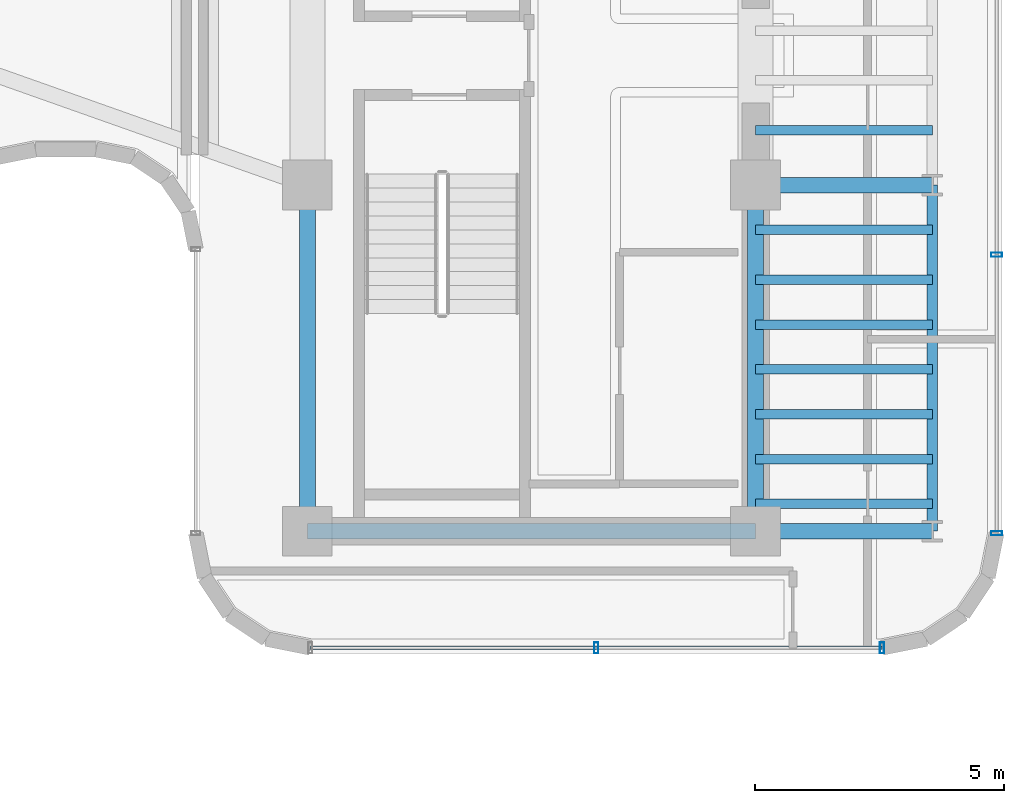
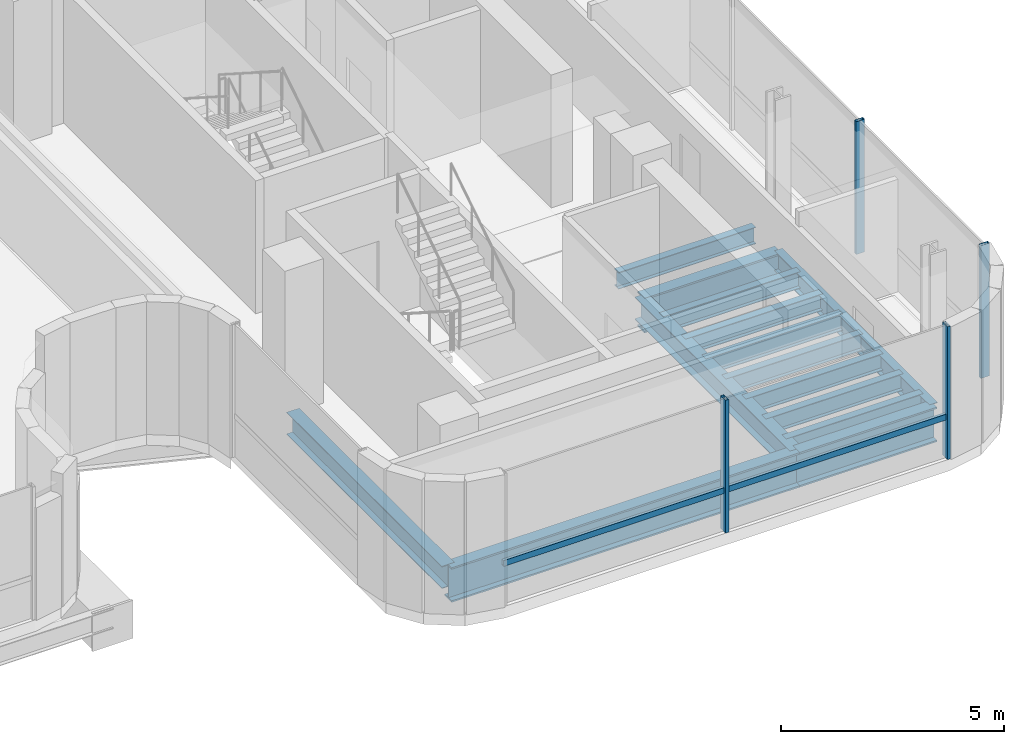
# One storey, part 13 of 37: 14 beams, 5 members, 2 elements without a shape of their own.
"""IFC4 building model written with IfcOpenShell, lengths in metres."""

from ifc_helpers import new_model, si_unit, direction, frame, origin, origin_2d, place, context, subcontext, project, spatial, hollow_rectangle, i_section, extrude, source, transform, mapped, material, material_profile, profile_set, type_object, element, aggregate, save


model = new_model("IFC4")

# Units and contexts
model_context = context("Model", 3, precision=1e-05, world=origin(), true_north=direction((0.0, 1.0)))
body_context = subcontext(model_context, "Body", "Model", "MODEL_VIEW")
ifc_project = project(units=[si_unit("LENGTHUNIT", "METRE"), si_unit("AREAUNIT", "SQUARE_METRE"), si_unit("VOLUMEUNIT", "CUBIC_METRE"), si_unit("PLANEANGLEUNIT", "RADIAN"), si_unit("MASSUNIT", "GRAM", prefix="KILO")], contexts=[model_context])

# Site, building, storey
site_placement = place(None, origin())
site = spatial("IfcSite", under=ifc_project, at=site_placement, CompositionType="ELEMENT")
building_placement = place(site_placement, origin())
building = spatial("IfcBuilding", under=site, at=building_placement, Name="Valdorenza Pilgrim Sanctuary Tower", CompositionType="ELEMENT")
storey_placement = place(building_placement, frame((0.0, 0.0, 188.39990234375)))
storey = spatial("IfcBuildingStorey", under=building, at=storey_placement, Name="L48", CompositionType="ELEMENT", Elevation=188.39990234375)

# Beams
ifc_material_1 = material(Name="Steel ASTM A992 Grade 50", Category="steel")
ifc_material_profile_1 = material_profile(ifc_material_1, i_section(OverallWidth=0.323974609375, OverallDepth=0.611083984375, WebThickness=0.0126953125, FlangeThickness=0.01904296875, at=origin_2d()), Name="W24X104")
ifc_profile_set_1 = profile_set([ifc_material_profile_1], Name="Steel ASTM A992 Grade 50")
beam_type_1 = type_object("IfcBeamType", Name="STR-BM-GRD-W24B", PredefinedType="BEAM", material=ifc_profile_set_1)
shared_shape_1 = source(origin(), body_context, "Body", "SweptSolid", [
    extrude(i_section(OverallWidth=0.323974609375, OverallDepth=0.611083984375, WebThickness=0.0126953125, FlangeThickness=0.01904296875, at=origin_2d()), origin(), (0.0, 0.0, 1.0), 6.949951171875),
])
for number, where, z_axis, x_axis, name in (
    (1, (15.85009765625, -9.550048828125, -0.62548828125), (0.0, 1.0, 0.0), (-1.0, 0.0, 0.0), "L48 Core Tie Girder CB-W-S1M0"),
    (2, (24.85009765625, -9.550048828125, -0.62548828125), (0.0, 1.0, 0.0), (-1.0, 0.0, 0.0), "L48 Core Tie Girder CB-E-S1M0"),
):
    element("IfcBeam", number, at=place(storey_placement, frame(where, z_axis=z_axis, x_axis=x_axis)), inside=storey, type_object=beam_type_1, Name=name, PredefinedType="BEAM", context=body_context, shape_type="MappedRepresentation", body=[
        mapped(shared_shape_1, transform((0.0, 0.0, 0.0), x_axis=(1.0, 0.0, 0.0), y_axis=(0.0, 1.0, 0.0), z_axis=(0.0, 0.0, 1.0), scale=1.0)),
    ])
ifc_material_profile_2 = material_profile(ifc_material_1, i_section(OverallWidth=0.19091796875, OverallDepth=0.45703125, WebThickness=0.009033203125, FlangeThickness=0.014404296875, at=origin_2d()), Name="W18X50")
ifc_profile_set_2 = profile_set([ifc_material_profile_2], Name="Steel ASTM A992 Grade 50")
beam_type_2 = type_object("IfcBeamType", Name="STR-BM-JST-W18B", PredefinedType="JOIST", material=ifc_profile_set_2)
shared_shape_2 = source(origin(), body_context, "Body", "SweptSolid", [
    extrude(i_section(OverallWidth=0.19091796875, OverallDepth=0.45703125, WebThickness=0.009033203125, FlangeThickness=0.014404296875, at=origin_2d()), origin(), (0.0, 0.0, 1.0), 3.5498046875),
])
for number, where, z_axis, x_axis, name in (
    (3, (24.85009765625, -9.0, -0.54833984375), (1.0, 0.0, 0.0), (0.0, 1.0, 0.0), "L48 Composite Floor Joist JST-WB-1"),
    (4, (24.85009765625, -8.10009765625, -0.54833984375), (1.0, 0.0, 0.0), (0.0, 1.0, 0.0), "L48 Composite Floor Joist JST-WB-2"),
    (5, (24.85009765625, -7.199951171875, -0.54833984375), (1.0, 0.0, 0.0), (0.0, 1.0, 0.0), "L48 Composite Floor Joist JST-WB-3"),
    (6, (24.85009765625, -6.300048828125, -0.54833984375), (1.0, 0.0, 0.0), (0.0, 1.0, 0.0), "L48 Composite Floor Joist JST-WB-4"),
    (7, (24.85009765625, -5.39990234375, -0.54833984375), (1.0, 0.0, 0.0), (0.0, 1.0, 0.0), "L48 Composite Floor Joist JST-WB-5"),
    (8, (24.85009765625, -4.5, -0.54833984375), (1.0, 0.0, 0.0), (0.0, 1.0, 0.0), "L48 Composite Floor Joist JST-WB-6"),
    (9, (24.85009765625, -3.5, -0.54833984375), (1.0, 0.0, 0.0), (0.0, 1.0, 0.0), "L48 Composite Floor Joist JST-WB-7"),
    (10, (24.85009765625, -1.5, -0.54833984375), (1.0, 0.0, 0.0), (0.0, 1.0, 0.0), "L48 Composite Floor Joist JST-WB-8"),
):
    element("IfcBeam", number, at=place(storey_placement, frame(where, z_axis=z_axis, x_axis=x_axis)), inside=storey, type_object=beam_type_2, Name=name, PredefinedType="JOIST", context=body_context, shape_type="MappedRepresentation", body=[
        mapped(shared_shape_2, transform((0.0, 0.0, 0.0), x_axis=(1.0, 0.0, 0.0), y_axis=(0.0, 1.0, 0.0), z_axis=(0.0, 0.0, 1.0), scale=1.0)),
    ])
ifc_material_profile_3 = material_profile(ifc_material_1, i_section(OverallWidth=0.2109375, OverallDepth=0.5390625, WebThickness=0.01171875, FlangeThickness=0.018798828125, at=origin_2d()), Name="W21X73")
ifc_profile_set_3 = profile_set([ifc_material_profile_3], Name="Steel ASTM A992 Grade 50")
beam_type_3 = type_object("IfcBeamType", Name="STR-BM-SPN-W21B", PredefinedType="SPANDREL", material=ifc_profile_set_3)
shared_shape_3 = source(origin(), body_context, "Body", "SweptSolid", [
    extrude(i_section(OverallWidth=0.2109375, OverallDepth=0.5390625, WebThickness=0.01171875, FlangeThickness=0.018798828125, at=origin_2d()), origin(), (0.0, 0.0, 1.0), 6.949951171875),
])
beam_1_placement = place(storey_placement, frame((28.39990234375, -9.550048828125, -0.58935546875), z_axis=(0.0, 1.0, 0.0), x_axis=(-1.0, 0.0, 0.0)))
element("IfcBeam", 11, at=beam_1_placement, inside=storey, type_object=beam_type_3, Name="L48 Spandrel Beam WB-E-S1M0", PredefinedType="SPANDREL", context=body_context, shape_type="MappedRepresentation", body=[
    mapped(shared_shape_3, transform((0.0, 0.0, 0.0), x_axis=(1.0, 0.0, 0.0), y_axis=(0.0, 1.0, 0.0), z_axis=(0.0, 0.0, 1.0), scale=1.0)),
])
ifc_material_profile_4 = material_profile(ifc_material_1, i_section(OverallWidth=0.31005859375, OverallDepth=0.949951171875, WebThickness=0.0244140625, FlangeThickness=0.0439453125, at=origin_2d()), Name="W36X256")
ifc_profile_set_4 = profile_set([ifc_material_profile_4], Name="Steel ASTM A992 Grade 50")
beam_type_4 = type_object("IfcBeamType", Name="STR-BM-GRD-W36B", PredefinedType="BEAM", material=ifc_profile_set_4)
shared_shape_4 = source(origin(), body_context, "Body", "SweptSolid", [
    extrude(i_section(OverallWidth=0.31005859375, OverallDepth=0.949951171875, WebThickness=0.0244140625, FlangeThickness=0.0439453125, at=origin_2d()), origin(), (0.0, 0.0, 1.0), 9.0),
])
beam_2_placement = place(storey_placement, frame((15.85009765625, -9.550048828125, -0.794921875), z_axis=(1.0, 0.0, 0.0), x_axis=(0.0, 1.0, 0.0)))
element("IfcBeam", 12, at=beam_2_placement, inside=storey, type_object=beam_type_4, Name="L48 Floor Girder CB-XC-S1", PredefinedType="BEAM", context=body_context, shape_type="MappedRepresentation", body=[
    mapped(shared_shape_4, transform((0.0, 0.0, 0.0), x_axis=(1.0, 0.0, 0.0), y_axis=(0.0, 1.0, 0.0), z_axis=(0.0, 0.0, 1.0), scale=1.0)),
])
shared_shape_5 = source(origin(), body_context, "Body", "SweptSolid", [
    extrude(i_section(OverallWidth=0.31005859375, OverallDepth=0.949951171875, WebThickness=0.0244140625, FlangeThickness=0.0439453125, at=origin_2d()), origin(), (0.0, 0.0, 1.0), 3.5498046875),
])
for number, where, z_axis, x_axis, name in (
    (13, (24.85009765625, -9.550048828125, -0.794921875), (1.0, 0.0, 0.0), (0.0, 1.0, 0.0), "L48 Floor Girder WB-XE-S1"),
    (14, (24.85009765625, -2.60009765625, -0.794921875), (1.0, 0.0, 0.0), (0.0, 1.0, 0.0), "L48 Floor Girder WB-XE-M0"),
):
    element("IfcBeam", number, at=place(storey_placement, frame(where, z_axis=z_axis, x_axis=x_axis)), inside=storey, type_object=beam_type_4, Name=name, PredefinedType="BEAM", context=body_context, shape_type="MappedRepresentation", body=[
        mapped(shared_shape_5, transform((0.0, 0.0, 0.0), x_axis=(1.0, 0.0, 0.0), y_axis=(0.0, 1.0, 0.0), z_axis=(0.0, 0.0, 1.0), scale=1.0)),
    ])

# Curtain wall, member
ifc_material_2 = material(Name="Curtain-wall IGU glazing", Category="glass")
curtain_wall_type = type_object("IfcCurtainWallType", Name="CW-SYS-03", PredefinedType="NOTDEFINED", material=ifc_material_2)
curtain_wall_1_placement = place(storey_placement, origin())
curtain_wall_1 = element("IfcCurtainWall", 15, at=curtain_wall_1_placement, inside=storey, type_object=curtain_wall_type, Name="L48 Curtain Wall CW-L48-1-42", PredefinedType="NOTDEFINED")
ifc_material_3 = material(Name="Anodised aluminium AW-6060", Category="aluminium")
ifc_material_profile_5 = material_profile(ifc_material_3, hollow_rectangle(XDim=0.074951171875, YDim=0.159912109375, WallThickness=0.00390625, at=origin_2d()), Name="ALU-T 160x75x4")
ifc_profile_set_5 = profile_set([ifc_material_profile_5], Name="Anodised aluminium AW-6060")
member_type_1 = type_object("IfcMemberType", Name="CW-TRN-03", PredefinedType="USERDEFINED", material=ifc_profile_set_5)
shared_shape_6 = source(origin(), body_context, "Body", "SweptSolid", [
    extrude(hollow_rectangle(XDim=0.074951171875, YDim=0.159912109375, WallThickness=0.00390625, at=origin_2d()), origin(), (0.0, 0.0, 1.0), 11.478271484375),
])
member_1_placement = place(storey_placement, frame((27.38916015625, -11.889892578125, 1.1201171875), z_axis=(-1.0, 0.0, 0.0), x_axis=(0.0, -1.0, 0.0)))
member_1 = element("IfcMember", 16, at=member_1_placement, type_object=member_type_1, Name="CW-L48-1-42 Transom 1", ObjectType="TRANSOM", PredefinedType="USERDEFINED", context=body_context, shape_type="MappedRepresentation", body=[
    mapped(shared_shape_6, transform((0.0, 0.0, 0.0), x_axis=(1.0, 0.0, 0.0), y_axis=(0.0, 1.0, 0.0), z_axis=(0.0, 0.0, 1.0), scale=1.0)),
])

# Curtain wall, members
curtain_wall_2_placement = place(storey_placement, origin())
curtain_wall_2 = element("IfcCurtainWall", 17, at=curtain_wall_2_placement, inside=storey, type_object=curtain_wall_type, Name="L48 Curtain Wall CW-L48-1-37", PredefinedType="NOTDEFINED")
ifc_material_profile_6 = material_profile(ifc_material_3, hollow_rectangle(XDim=0.0849609375, YDim=0.219970703125, WallThickness=0.0048828125, at=origin_2d()), Name="ALU-M 220x85x5")
ifc_profile_set_6 = profile_set([ifc_material_profile_6], Name="Anodised aluminium AW-6060")
member_type_2 = type_object("IfcMemberType", Name="CW-MUL-03", PredefinedType="MULLION", material=ifc_profile_set_6)
shared_shape_7 = source(origin(), body_context, "Body", "SweptSolid", [
    extrude(hollow_rectangle(XDim=0.0849609375, YDim=0.219970703125, WallThickness=0.0048828125, at=origin_2d()), origin(), (0.0, 0.0, 1.0), 3.630126953125),
])
member_2_placement = place(storey_placement, frame((29.68994140625, -3.999755859375, 0.0), z_axis=(0.0, 0.0, 1.0), x_axis=(0.0, -1.0, 0.0)))
member_2 = element("IfcMember", 18, at=member_2_placement, type_object=member_type_2, Name="CW-L48-1-37 Mullion 4", PredefinedType="MULLION", context=body_context, shape_type="MappedRepresentation", body=[
    mapped(shared_shape_7, transform((0.0, 0.0, 0.0), x_axis=(1.0, 0.0, 0.0), y_axis=(0.0, 1.0, 0.0), z_axis=(0.0, 0.0, 1.0), scale=1.0)),
])
member_3_placement = place(storey_placement, frame((29.68994140625, -9.589111328125, 0.0), z_axis=(0.0, 0.0, 1.0), x_axis=(0.0, -1.0, 0.0)))
member_3 = element("IfcMember", 19, at=member_3_placement, type_object=member_type_2, Name="CW-L48-1-37 Mullion 5", PredefinedType="MULLION", context=body_context, shape_type="MappedRepresentation", body=[
    mapped(shared_shape_7, transform((0.0, 0.0, 0.0), x_axis=(1.0, 0.0, 0.0), y_axis=(0.0, 1.0, 0.0), z_axis=(0.0, 0.0, 1.0), scale=1.0)),
])
aggregate(curtain_wall_2, [member_2, member_3])

# Member
member_4_placement = place(storey_placement, frame((27.38916015625, -11.889892578125, 0.0), z_axis=(0.0, 0.0, 1.0), x_axis=(-1.0, 0.0, 0.0)))
member_4 = element("IfcMember", 20, at=member_4_placement, type_object=member_type_2, Name="CW-L48-1-42 Mullion 1", PredefinedType="MULLION", context=body_context, shape_type="MappedRepresentation", body=[
    mapped(shared_shape_7, transform((0.0, 0.0, 0.0), x_axis=(1.0, 0.0, 0.0), y_axis=(0.0, 1.0, 0.0), z_axis=(0.0, 0.0, 1.0), scale=1.0)),
])

member_5_placement = place(storey_placement, frame((21.64990234375, -11.889892578125, 0.0), z_axis=(0.0, 0.0, 1.0), x_axis=(-1.0, 0.0, 0.0)))
member_5 = element("IfcMember", 21, at=member_5_placement, type_object=member_type_2, Name="CW-L48-1-42 Mullion 2", PredefinedType="MULLION", context=body_context, shape_type="MappedRepresentation", body=[
    mapped(shared_shape_7, transform((0.0, 0.0, 0.0), x_axis=(1.0, 0.0, 0.0), y_axis=(0.0, 1.0, 0.0), z_axis=(0.0, 0.0, 1.0), scale=1.0)),
])

aggregate(curtain_wall_1, [member_4, member_5, member_1])

save(model, "model.ifc")
